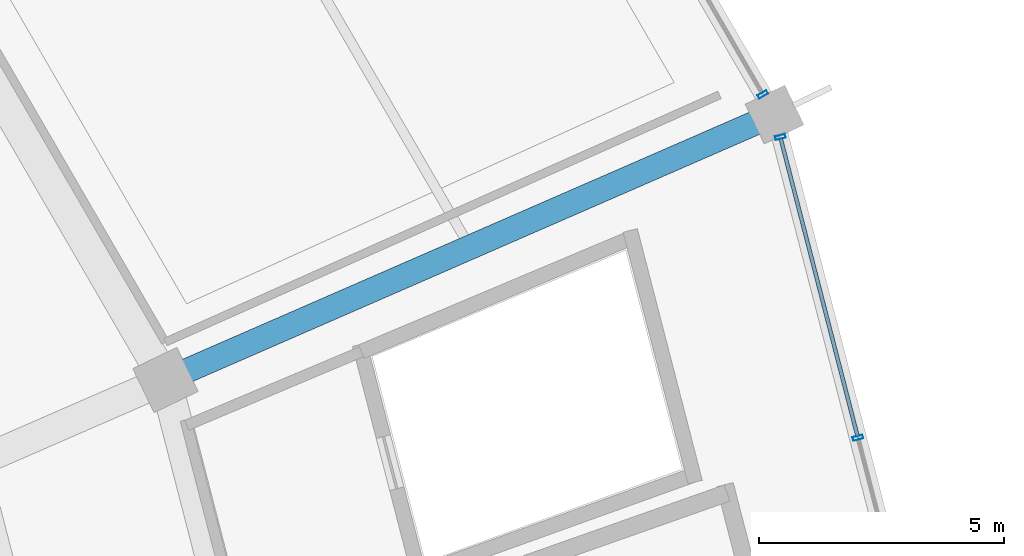
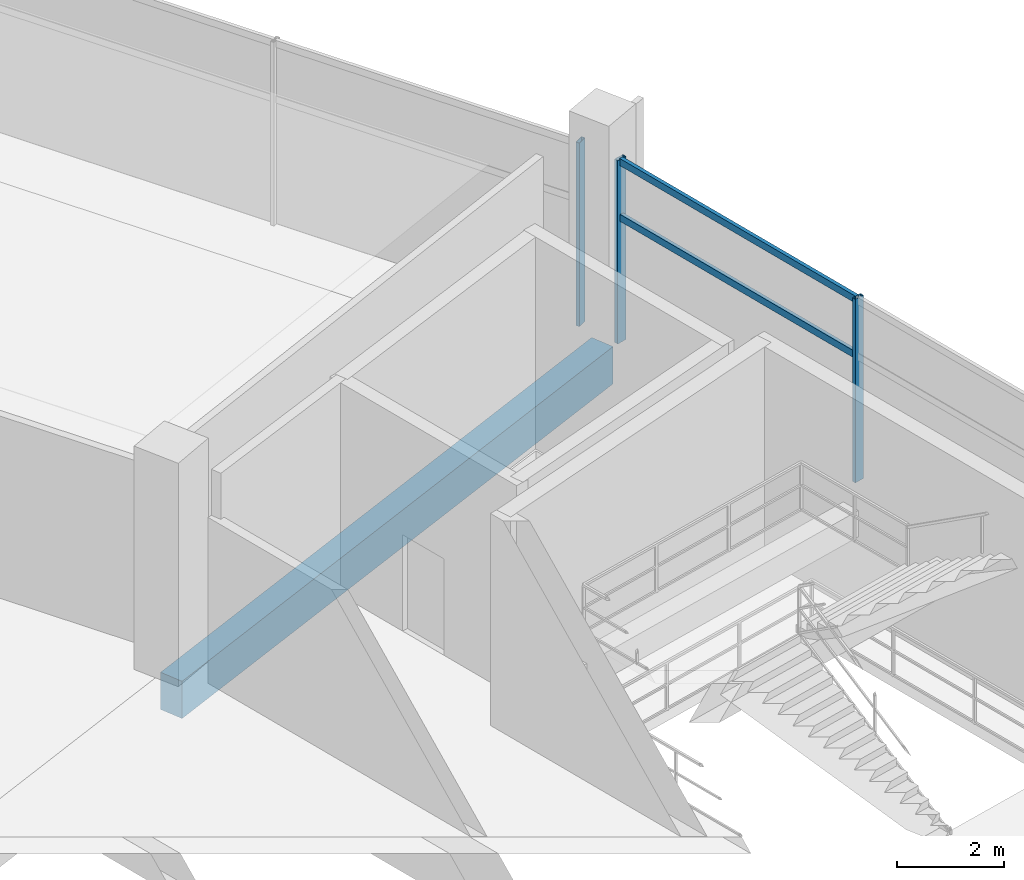
# One storey, part 85 of 184: 5 members, 1 beam, 2 elements without a shape of their own.
"""IFC4 building model written with IfcOpenShell, lengths in metres."""

from ifc_helpers import new_model, si_unit, direction, frame, origin, origin_2d, place, context, subcontext, project, spatial, rectangle, hollow_rectangle, extrude, material, layer, layer_set, material_profile, profile_set, type_object, element, aggregate, save


model = new_model("IFC4")

# Units and contexts
model_context = context("Model", 3, precision=1e-05, world=origin(), true_north=direction((0.0, 1.0)))
body_context = subcontext(model_context, "Body", "Model", "MODEL_VIEW")
ifc_project = project(units=[si_unit("LENGTHUNIT", "METRE"), si_unit("AREAUNIT", "SQUARE_METRE"), si_unit("VOLUMEUNIT", "CUBIC_METRE"), si_unit("PLANEANGLEUNIT", "RADIAN"), si_unit("MASSUNIT", "GRAM", prefix="KILO")], contexts=[model_context])

# Site, building, storey
site_placement = place(None, origin())
site = spatial("IfcSite", under=ifc_project, at=site_placement, CompositionType="ELEMENT")
building_placement = place(site_placement, origin())
building = spatial("IfcBuilding", under=site, at=building_placement, Name="Kazemori Nagisa Stadium", CompositionType="ELEMENT")
storey_placement = place(building_placement, frame((0.0, 0.0, 10.5400390625)))
storey = spatial("IfcBuildingStorey", under=building, at=storey_placement, Name="L02", CompositionType="ELEMENT", Elevation=10.5400390625)

# Beam
ifc_material_1 = material(Name="Concrete C40/50 (Fc42)", Category="concrete")
ifc_material_profile_1 = material_profile(ifc_material_1, rectangle(XDim=0.5, YDim=0.85009765625, at=origin_2d()), Name="RC-BM-500x850")
ifc_profile_set_1 = profile_set([ifc_material_profile_1], Name="Concrete C40/50 (Fc42)")
beam_type = type_object("IfcBeamType", Name="Beam_BG-RC500X850", PredefinedType="BEAM", material=ifc_profile_set_1)
beam_placement = place(storey_placement, frame((199.44091796875, 135.32470703125, -0.68505859375), z_axis=(0.916683633521, 0.399613708517, 0.0), x_axis=(-0.399613708517, 0.916683633521, 0.0)))
element("IfcBeam", 1, at=beam_placement, inside=storey, type_object=beam_type, Name="Radial girder BG-RC500X850 L02 R2-R3-03", PredefinedType="BEAM", context=body_context, shape_type="SweptSolid", body=[
    extrude(rectangle(XDim=0.5, YDim=0.85009765625, at=origin_2d()), origin(), (0.0, 0.0, 1.0), 13.5751953125),
])

# Curtain wall, members
ifc_material_2 = material(Name="Anodised aluminium 6063-T5", Category="aluminium")
ifc_layer_1 = layer(ifc_material_2, 0.2099609375, Name="Anodised aluminium 6063-T5", Category="aluminium")
ifc_layer_set_1 = layer_set([ifc_layer_1], Name="Anodised aluminium 6063-T5")
curtain_wall_type_1 = type_object("IfcCurtainWallType", Name="CW_L02R3_96", PredefinedType="USERDEFINED", material=ifc_layer_set_1)
curtain_wall_1_placement = place(storey_placement, origin())
curtain_wall_1 = element("IfcCurtainWall", 2, at=curtain_wall_1_placement, inside=storey, type_object=curtain_wall_type_1, Name="Unitised curtain wall CW-L02R3-96 L02", ObjectType="UNITISED CURTAIN WALL", PredefinedType="USERDEFINED")
ifc_material_3 = material(Name="Aluminium 6063-T5 anodised", Category="aluminium")
ifc_material_profile_2 = material_profile(ifc_material_3, hollow_rectangle(XDim=0.080078125, YDim=0.2099609375, WallThickness=0.0048828125, at=origin_2d()), Name="ALU-MULL-80x210x5")
ifc_profile_set_2 = profile_set([ifc_material_profile_2], Name="Aluminium 6063-T5 anodised")
member_type_1 = type_object("IfcMemberType", Name="Mullion_M02", PredefinedType="MULLION", material=ifc_profile_set_2)
member_1_placement = place(storey_placement, frame((213.58984375, 134.1455078125, 0.0), z_axis=(0.0, 0.0, 1.0), x_axis=(-0.249964642418, 0.968254965152, 0.0)))
member_1 = element("IfcMember", 3, at=member_1_placement, type_object=member_type_1, Name="Curtain wall mullion CW-L02R3-96-M3", PredefinedType="MULLION", context=body_context, shape_type="SweptSolid", body=[
    extrude(hollow_rectangle(XDim=0.080078125, YDim=0.2099609375, WallThickness=0.0048828125, at=origin_2d()), origin(), (0.0, 0.0, 1.0), 4.18994140625),
])
member_2_placement = place(storey_placement, frame((212.003662109375, 140.28955078125, 0.0), z_axis=(0.0, 0.0, 1.0), x_axis=(-0.249964642418, 0.968254965152, 0.0)))
member_2 = element("IfcMember", 4, at=member_2_placement, type_object=member_type_1, Name="Curtain wall mullion CW-L02R3-96-M4", PredefinedType="MULLION", context=body_context, shape_type="SweptSolid", body=[
    extrude(hollow_rectangle(XDim=0.080078125, YDim=0.2099609375, WallThickness=0.0048828125, at=origin_2d()), origin(), (0.0, 0.0, 1.0), 4.18994140625),
])

# Curtain wall, member
ifc_layer_2 = layer(ifc_material_2, 0.2099609375, Name="Anodised aluminium 6063-T5", Category="aluminium")
ifc_layer_set_2 = layer_set([ifc_layer_2], Name="Anodised aluminium 6063-T5")
curtain_wall_type_2 = type_object("IfcCurtainWallType", Name="CW_L02R3_99", PredefinedType="USERDEFINED", material=ifc_layer_set_2)
curtain_wall_2_placement = place(storey_placement, origin())
curtain_wall_2 = element("IfcCurtainWall", 5, at=curtain_wall_2_placement, inside=storey, type_object=curtain_wall_type_2, Name="Unitised curtain wall CW-L02R3-99 L02", ObjectType="UNITISED CURTAIN WALL", PredefinedType="USERDEFINED")
member_3_placement = place(storey_placement, frame((211.646728515625, 141.160400390625, 0.0), z_axis=(0.0, 0.0, 1.0), x_axis=(-0.501611590054, 0.865092950337, 0.0)))
member_3 = element("IfcMember", 6, at=member_3_placement, type_object=member_type_1, Name="Curtain wall mullion CW-L02R3-99-M1", PredefinedType="MULLION", context=body_context, shape_type="SweptSolid", body=[
    extrude(hollow_rectangle(XDim=0.080078125, YDim=0.2099609375, WallThickness=0.0048828125, at=origin_2d()), origin(), (0.0, 0.0, 1.0), 4.18994140625),
])
aggregate(curtain_wall_2, [member_3])

# Member
ifc_material_profile_3 = material_profile(ifc_material_3, hollow_rectangle(XDim=0.080078125, YDim=0.159912109375, WallThickness=0.00390625, at=origin_2d()), Name="ALU-TRAN-80x160x4")
ifc_profile_set_3 = profile_set([ifc_material_profile_3], Name="Aluminium 6063-T5 anodised")
member_type_2 = type_object("IfcMemberType", Name="Transom_T02", PredefinedType="USERDEFINED", material=ifc_profile_set_3)
member_4_placement = place(storey_placement, frame((213.584716796875, 134.1650390625, 2.84912109375), z_axis=(-0.249971699633, 0.968253143234, 0.0), x_axis=(-0.968253143234, -0.249971699633, 0.0)))
member_4 = element("IfcMember", 7, at=member_4_placement, type_object=member_type_2, Name="Curtain wall transom CW-L02R3-96-T3-mid", ObjectType="TRANSOM", PredefinedType="USERDEFINED", context=body_context, shape_type="SweptSolid", body=[
    extrude(hollow_rectangle(XDim=0.080078125, YDim=0.159912109375, WallThickness=0.00390625, at=origin_2d()), origin(), (0.0, 0.0, 1.0), 6.305419921875),
])

member_5_placement = place(storey_placement, frame((213.584716796875, 134.1650390625, 4.119873046875), z_axis=(-0.249971699633, 0.968253143234, 0.0), x_axis=(-0.968253143234, -0.249971699633, 0.0)))
member_5 = element("IfcMember", 8, at=member_5_placement, type_object=member_type_2, Name="Curtain wall transom CW-L02R3-96-T3-head", ObjectType="TRANSOM", PredefinedType="USERDEFINED", context=body_context, shape_type="SweptSolid", body=[
    extrude(hollow_rectangle(XDim=0.080078125, YDim=0.159912109375, WallThickness=0.00390625, at=origin_2d()), origin(), (0.0, 0.0, 1.0), 6.305419921875),
])

aggregate(curtain_wall_1, [member_1, member_2, member_4, member_5])

save(model, "model.ifc")
